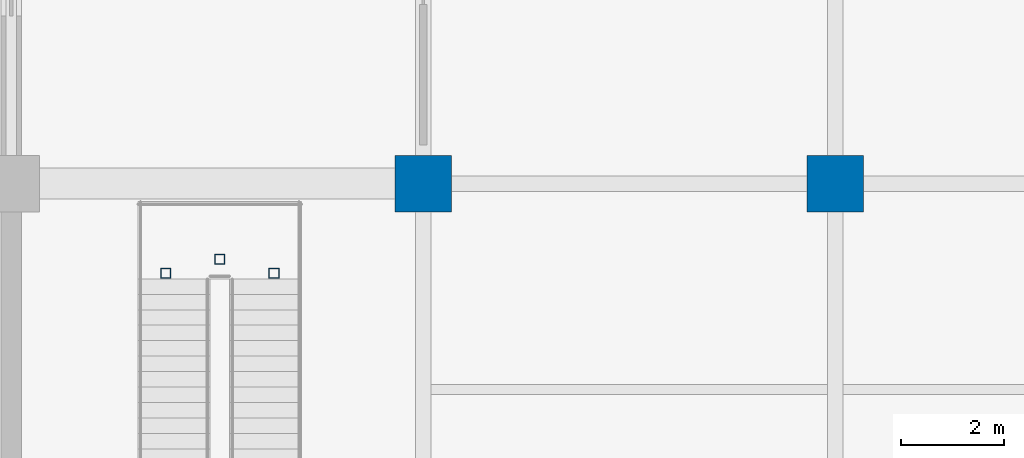
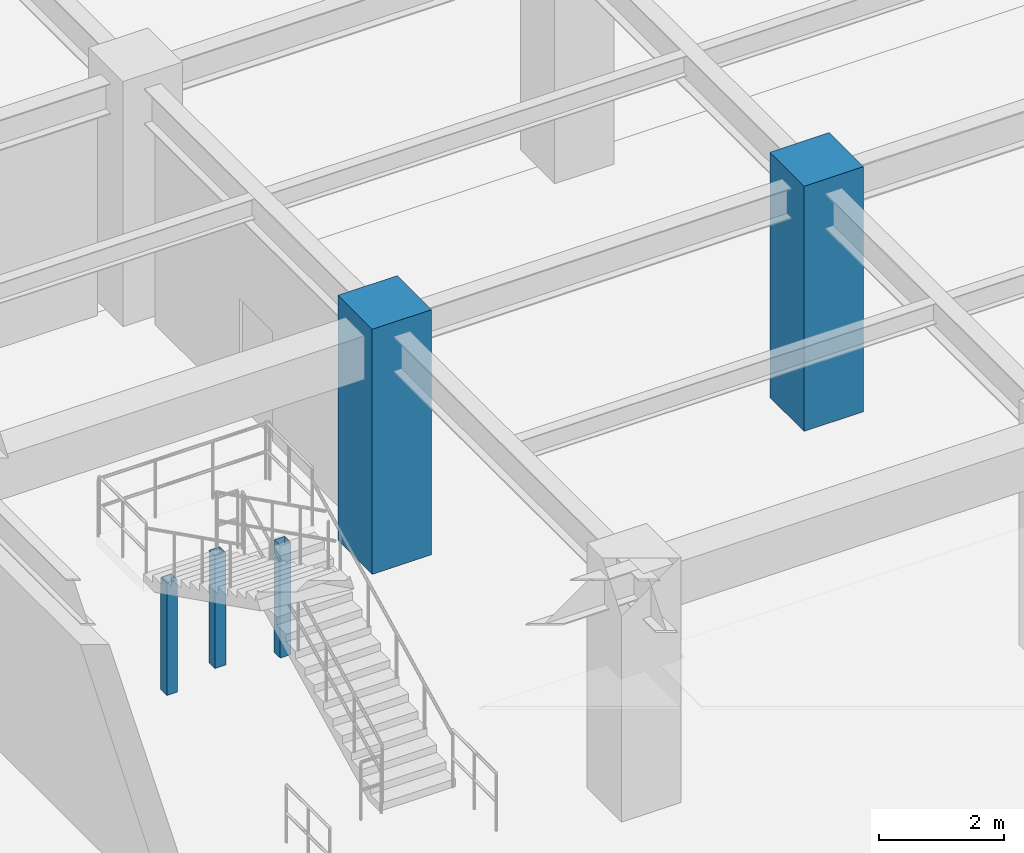
# One storey, part 16 of 125: 5 columns.
"""IFC4 building model written with IfcOpenShell, lengths in metres."""

from ifc_helpers import new_model, si_unit, direction, frame, origin, origin_2d, place, context, subcontext, project, spatial, rectangle, hollow_rectangle, extrude, material, material_profile, profile_set, type_object, element, save


model = new_model("IFC4")

# Units and contexts
model_context = context("Model", 3, precision=1e-05, world=origin(), true_north=direction((0.0, 1.0)))
body_context = subcontext(model_context, "Body", "Model", "MODEL_VIEW")
ifc_project = project(units=[si_unit("LENGTHUNIT", "METRE"), si_unit("AREAUNIT", "SQUARE_METRE"), si_unit("VOLUMEUNIT", "CUBIC_METRE"), si_unit("PLANEANGLEUNIT", "RADIAN"), si_unit("MASSUNIT", "GRAM", prefix="KILO")], contexts=[model_context])

# Site, building, storey
site_placement = place(None, origin())
site = spatial("IfcSite", under=ifc_project, at=site_placement, CompositionType="ELEMENT")
building_placement = place(site_placement, origin())
building = spatial("IfcBuilding", under=site, at=building_placement, Name="Haebicheon Civic Stadium", CompositionType="ELEMENT")
storey_placement = place(building_placement, origin())
storey = spatial("IfcBuildingStorey", under=building, at=storey_placement, Name="L01", CompositionType="ELEMENT", Elevation=0.0)

# Columns
ifc_material_1 = material(Name="Concrete C40/50", Category="concrete")
ifc_material_profile_1 = material_profile(ifc_material_1, rectangle(XDim=1.10009765625, YDim=1.10009765625, at=origin_2d()), Name="RC-COL-1100x1100")
ifc_profile_set_1 = profile_set([ifc_material_profile_1], Name="Concrete C40/50")
column_type_1 = type_object("IfcColumnType", Name="COL-RC-1100", PredefinedType="COLUMN", material=ifc_profile_set_1)
for number, where, z_axis, x_axis, name in (
    (1, (208.0, 120.0, 0.0), (0.0, 0.0, 1.0), (1.0, 0.0, 0.0), "L01 column 27/R"),
    (2, (216.0, 120.0, 0.0), (0.0, 0.0, 1.0), (1.0, 0.0, 0.0), "L01 column 28/R"),
):
    element("IfcColumn", number, at=place(storey_placement, frame(where, z_axis=z_axis, x_axis=x_axis)), inside=storey, type_object=column_type_1, material=ifc_profile_set_1, Name=name, PredefinedType="COLUMN", context=body_context, shape_type="SweptSolid", body=[
        extrude(rectangle(XDim=1.10009765625, YDim=1.10009765625, at=origin_2d()), origin(), (0.0, 0.0, 1.0), 4.800048828125),
    ])
ifc_material_2 = material(Name="Steel SM355 (S355)", Category="steel")
ifc_material_profile_2 = material_profile(ifc_material_2, hollow_rectangle(XDim=0.199951171875, YDim=0.199951171875, WallThickness=0.009033203125, at=origin_2d()), Name="RHS-200x200x9.0")
ifc_profile_set_2 = profile_set([ifc_material_profile_2], Name="Steel SM355 (S355)")
column_type_2 = type_object("IfcColumnType", Name="COL-ST-RHS200", PredefinedType="COLUMN", material=ifc_profile_set_2)
for number, where, z_axis, x_axis, name in (
    (3, (203.0, 118.260009765625, 0.0), (0.0, 0.0, 1.0), (1.0, 0.0, 0.0), "VM-12 L01 vomitory landing support post A"),
    (4, (205.10009765625, 118.260009765625, 0.0), (0.0, 0.0, 1.0), (1.0, 0.0, 0.0), "VM-12 L01 vomitory landing support post B"),
    (5, (204.050048828125, 118.530029296875, 0.0), (0.0, 0.0, 1.0), (1.0, 0.0, 0.0), "VM-12 L01 vomitory landing support post C"),
):
    element("IfcColumn", number, at=place(storey_placement, frame(where, z_axis=z_axis, x_axis=x_axis)), inside=storey, type_object=column_type_2, material=ifc_profile_set_2, Name=name, PredefinedType="COLUMN", context=body_context, shape_type="SweptSolid", body=[
        extrude(hollow_rectangle(XDim=0.199951171875, YDim=0.199951171875, WallThickness=0.009033203125, at=origin_2d()), origin(), (0.0, 0.0, 1.0), 2.199951171875),
    ])

save(model, "model.ifc")
